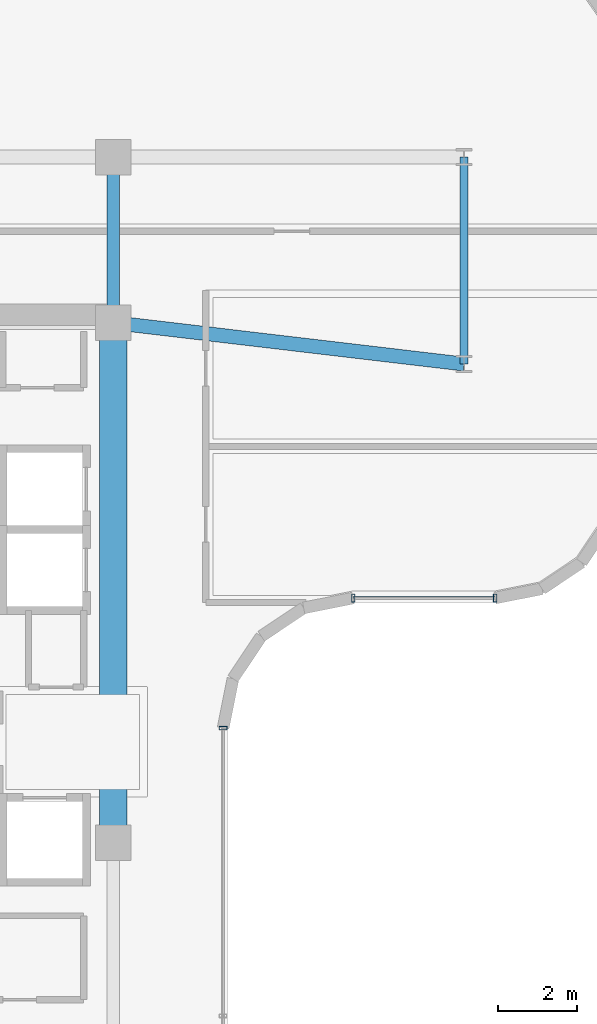
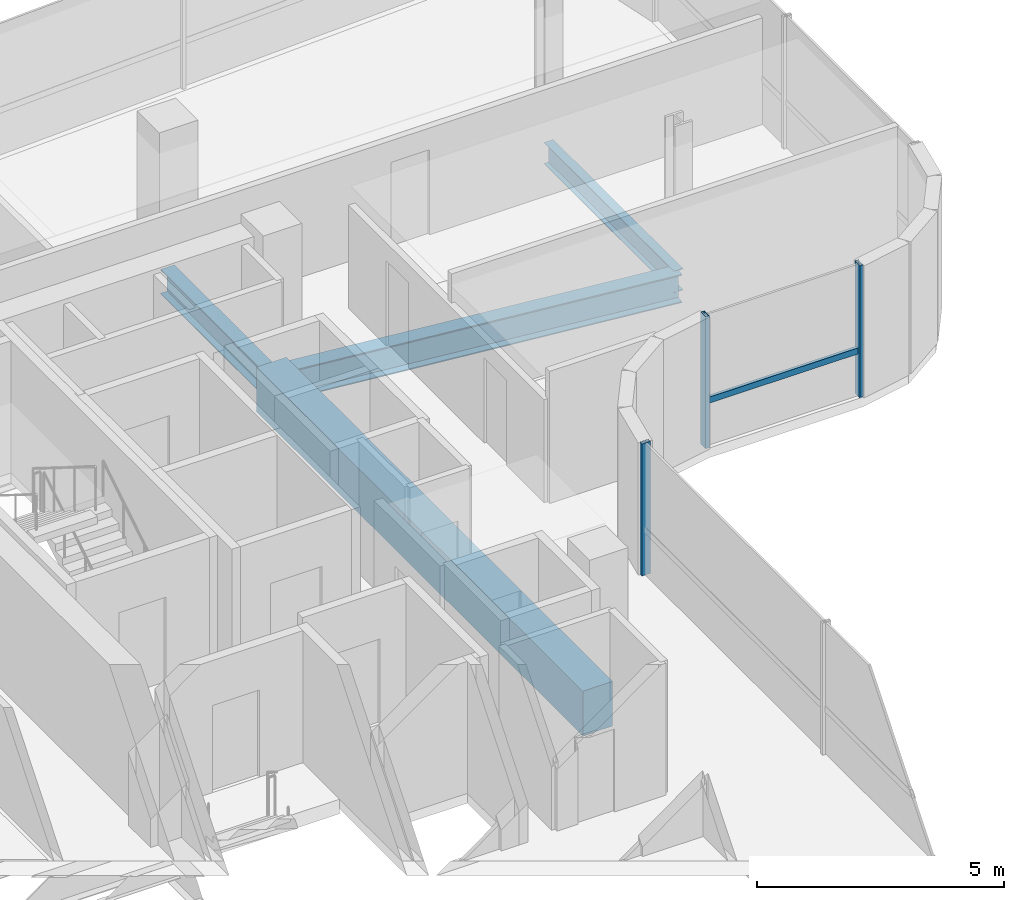
# One storey, part 11 of 22: 4 beams, 4 members, 2 elements without a shape of their own.
"""IFC4 building model written with IfcOpenShell, lengths in metres."""

from ifc_helpers import new_model, si_unit, direction, frame, origin, origin_2d, place, context, subcontext, project, spatial, rectangle, hollow_rectangle, i_section, extrude, source, transform, mapped, material, material_profile, profile_set, type_object, element, aggregate, save


model = new_model("IFC4")

# Units and contexts
model_context = context("Model", 3, precision=1e-05, world=origin(), true_north=direction((0.0, 1.0)))
body_context = subcontext(model_context, "Body", "Model", "MODEL_VIEW")
ifc_project = project(units=[si_unit("LENGTHUNIT", "METRE"), si_unit("AREAUNIT", "SQUARE_METRE"), si_unit("VOLUMEUNIT", "CUBIC_METRE"), si_unit("PLANEANGLEUNIT", "RADIAN"), si_unit("MASSUNIT", "GRAM", prefix="KILO")], contexts=[model_context])

# Site, building, storey
site_placement = place(None, origin())
site = spatial("IfcSite", under=ifc_project, at=site_placement, CompositionType="ELEMENT")
building_placement = place(site_placement, origin())
building = spatial("IfcBuilding", under=site, at=building_placement, Name="Valdorenza Pilgrim Sanctuary Tower", CompositionType="ELEMENT")
storey_placement = place(building_placement, frame((0.0, 0.0, 237.0)))
storey = spatial("IfcBuildingStorey", under=building, at=storey_placement, Name="L61", CompositionType="ELEMENT", Elevation=237.0)

# Beams
ifc_material_1 = material(Name="Concrete C50/60", Category="concrete")
ifc_material_profile_1 = material_profile(ifc_material_1, rectangle(XDim=0.699951171875, YDim=1.10009765625, at=origin_2d()), Name="RC 1100x700")
ifc_profile_set_1 = profile_set([ifc_material_profile_1], Name="Concrete C50/60")
beam_type_1 = type_object("IfcBeamType", Name="STR-BM-LNT-1100", PredefinedType="LINTEL", material=ifc_profile_set_1)
shared_shape_1 = source(origin(), body_context, "Body", "SweptSolid", [
    extrude(rectangle(XDim=0.699951171875, YDim=1.10009765625, at=origin_2d()), origin(), (0.0, 0.0, 1.0), 13.2001953125),
])
beam_1_placement = place(storey_placement, frame((-12.39990234375, -2.60009765625, -0.590087890625), z_axis=(0.0, 1.0, 0.0), x_axis=(-1.0, 0.0, 0.0)))
element("IfcBeam", 1, at=beam_1_placement, inside=storey, type_object=beam_type_1, Name="L61 Core A Coupling Lintel Girder", PredefinedType="LINTEL", context=body_context, shape_type="MappedRepresentation", body=[
    mapped(shared_shape_1, transform((0.0, 0.0, 0.0), x_axis=(1.0, 0.0, 0.0), y_axis=(0.0, 1.0, 0.0), z_axis=(0.0, 0.0, 1.0), scale=1.0)),
])
ifc_material_2 = material(Name="Steel ASTM A992 Grade 50", Category="steel")
ifc_material_profile_2 = material_profile(ifc_material_2, i_section(OverallWidth=0.323974609375, OverallDepth=0.611083984375, WebThickness=0.0126953125, FlangeThickness=0.01904296875, at=origin_2d()), Name="W24X104")
ifc_profile_set_2 = profile_set([ifc_material_profile_2], Name="Steel ASTM A992 Grade 50")
beam_type_2 = type_object("IfcBeamType", Name="STR-BM-GRD-W24B", PredefinedType="BEAM", material=ifc_profile_set_2)
shared_shape_2 = source(origin(), body_context, "Body", "SweptSolid", [
    extrude(i_section(OverallWidth=0.323974609375, OverallDepth=0.611083984375, WebThickness=0.0126953125, FlangeThickness=0.01904296875, at=origin_2d()), origin(), (0.0, 0.0, 1.0), 4.199951171875),
])
beam_2_placement = place(storey_placement, frame((-12.39990234375, 10.60009765625, -0.54541015625), z_axis=(0.0, 1.0, 0.0), x_axis=(-1.0, 0.0, 0.0)))
element("IfcBeam", 2, at=beam_2_placement, inside=storey, type_object=beam_type_2, Name="L61 Core Tie Girder CA-E-N1N2", PredefinedType="BEAM", context=body_context, shape_type="MappedRepresentation", body=[
    mapped(shared_shape_2, transform((0.0, 0.0, 0.0), x_axis=(1.0, 0.0, 0.0), y_axis=(0.0, 1.0, 0.0), z_axis=(0.0, 0.0, 1.0), scale=1.0)),
])
ifc_material_profile_3 = material_profile(ifc_material_2, i_section(OverallWidth=0.2109375, OverallDepth=0.5390625, WebThickness=0.01171875, FlangeThickness=0.018798828125, at=origin_2d()), Name="W21X73")
ifc_profile_set_3 = profile_set([ifc_material_profile_3], Name="Steel ASTM A992 Grade 50")
beam_type_3 = type_object("IfcBeamType", Name="STR-BM-SPN-W21B", PredefinedType="SPANDREL", material=ifc_profile_set_3)
shared_shape_3 = source(origin(), body_context, "Body", "SweptSolid", [
    extrude(i_section(OverallWidth=0.2109375, OverallDepth=0.5390625, WebThickness=0.01171875, FlangeThickness=0.018798828125, at=origin_2d()), origin(), (0.0, 0.0, 1.0), 5.25),
])
beam_3_placement = place(storey_placement, frame((-3.5, 9.550048828125, -0.509521484375), z_axis=(0.0, 1.0, 0.0), x_axis=(-1.0, 0.0, 0.0)))
element("IfcBeam", 3, at=beam_3_placement, inside=storey, type_object=beam_type_3, Name="L61 Floor Girder UWA-KTIE", PredefinedType="SPANDREL", context=body_context, shape_type="MappedRepresentation", body=[
    mapped(shared_shape_3, transform((0.0, 0.0, 0.0), x_axis=(1.0, 0.0, 0.0), y_axis=(0.0, 1.0, 0.0), z_axis=(0.0, 0.0, 1.0), scale=1.0)),
])
ifc_material_profile_4 = material_profile(ifc_material_2, i_section(OverallWidth=0.35595703125, OverallDepth=0.700927734375, WebThickness=0.016845703125, FlangeThickness=0.02734375, at=origin_2d()), Name="W27X161")
ifc_profile_set_4 = profile_set([ifc_material_profile_4], Name="Steel ASTM A992 Grade 50")
beam_type_4 = type_object("IfcBeamType", Name="STR-BM-GRD-W27", PredefinedType="BEAM", material=ifc_profile_set_4)
shared_shape_4 = source(origin(), body_context, "Body", "SweptSolid", [
    extrude(i_section(OverallWidth=0.35595703125, OverallDepth=0.700927734375, WebThickness=0.016845703125, FlangeThickness=0.02734375, at=origin_2d()), origin(), (0.0, 0.0, 1.0), 8.961669921875),
])
beam_4_placement = place(storey_placement, frame((-12.39990234375, 10.60009765625, -0.590576171875), z_axis=(0.993111684121, -0.117171595803, 0.0), x_axis=(0.117171595803, 0.993111684121, 0.0)))
element("IfcBeam", 4, at=beam_4_placement, inside=storey, type_object=beam_type_4, Name="L61 Floor Girder UWA-KG1", PredefinedType="BEAM", context=body_context, shape_type="MappedRepresentation", body=[
    mapped(shared_shape_4, transform((0.0, 0.0, 0.0), x_axis=(1.0, 0.0, 0.0), y_axis=(0.0, 1.0, 0.0), z_axis=(0.0, 0.0, 1.0), scale=1.0)),
])

# Curtain wall, members
ifc_material_3 = material(Name="Curtain-wall IGU glazing", Category="glass")
curtain_wall_type = type_object("IfcCurtainWallType", Name="CW-SYS-02", PredefinedType="NOTDEFINED", material=ifc_material_3)
curtain_wall_1_placement = place(storey_placement, origin())
curtain_wall_1 = element("IfcCurtainWall", 5, at=curtain_wall_1_placement, inside=storey, type_object=curtain_wall_type, Name="L61 Curtain Wall CW-L61-1-16", PredefinedType="NOTDEFINED")
ifc_material_4 = material(Name="Anodised aluminium AW-6060", Category="aluminium")
ifc_material_profile_5 = material_profile(ifc_material_4, hollow_rectangle(XDim=0.074951171875, YDim=0.14990234375, WallThickness=0.00390625, at=origin_2d()), Name="ALU-T 150x75x4")
ifc_profile_set_5 = profile_set([ifc_material_profile_5], Name="Anodised aluminium AW-6060")
member_type_1 = type_object("IfcMemberType", Name="CW-TRN-02", PredefinedType="USERDEFINED", material=ifc_profile_set_5)
shared_shape_5 = source(origin(), body_context, "Body", "SweptSolid", [
    extrude(hollow_rectangle(XDim=0.074951171875, YDim=0.14990234375, WallThickness=0.00390625, at=origin_2d()), origin(), (0.0, 0.0, 1.0), 3.60009765625),
])
member_1_placement = place(storey_placement, frame((-2.710693359375, 3.610107421875, 1.1201171875), z_axis=(-1.0, 0.0, 0.0), x_axis=(0.0, -1.0, 0.0)))
member_1 = element("IfcMember", 6, at=member_1_placement, type_object=member_type_1, Name="CW-L61-1-16 Transom 1", ObjectType="TRANSOM", PredefinedType="USERDEFINED", context=body_context, shape_type="MappedRepresentation", body=[
    mapped(shared_shape_5, transform((0.0, 0.0, 0.0), x_axis=(1.0, 0.0, 0.0), y_axis=(0.0, 1.0, 0.0), z_axis=(0.0, 0.0, 1.0), scale=1.0)),
])
ifc_material_profile_6 = material_profile(ifc_material_4, hollow_rectangle(XDim=0.0849609375, YDim=0.199951171875, WallThickness=0.0048828125, at=origin_2d()), Name="ALU-M 200x85x5")
ifc_profile_set_6 = profile_set([ifc_material_profile_6], Name="Anodised aluminium AW-6060")
member_type_2 = type_object("IfcMemberType", Name="CW-MUL-02", PredefinedType="MULLION", material=ifc_profile_set_6)
shared_shape_6 = source(origin(), body_context, "Body", "SweptSolid", [
    extrude(hollow_rectangle(XDim=0.0849609375, YDim=0.199951171875, WallThickness=0.0048828125, at=origin_2d()), origin(), (0.0, 0.0, 1.0), 3.260009765625),
])
member_2_placement = place(storey_placement, frame((-2.710693359375, 3.610107421875, 0.0), z_axis=(0.0, 0.0, 1.0), x_axis=(-1.0, 0.0, 0.0)))
member_2 = element("IfcMember", 7, at=member_2_placement, type_object=member_type_2, Name="CW-L61-1-16 Mullion 1", PredefinedType="MULLION", context=body_context, shape_type="MappedRepresentation", body=[
    mapped(shared_shape_6, transform((0.0, 0.0, 0.0), x_axis=(1.0, 0.0, 0.0), y_axis=(0.0, 1.0, 0.0), z_axis=(0.0, 0.0, 1.0), scale=1.0)),
])
member_3_placement = place(storey_placement, frame((-6.310791015625, 3.610107421875, 0.0), z_axis=(0.0, 0.0, 1.0), x_axis=(-1.0, 0.0, 0.0)))
member_3 = element("IfcMember", 8, at=member_3_placement, type_object=member_type_2, Name="CW-L61-1-16 Mullion 2", PredefinedType="MULLION", context=body_context, shape_type="MappedRepresentation", body=[
    mapped(shared_shape_6, transform((0.0, 0.0, 0.0), x_axis=(1.0, 0.0, 0.0), y_axis=(0.0, 1.0, 0.0), z_axis=(0.0, 0.0, 1.0), scale=1.0)),
])
aggregate(curtain_wall_1, [member_2, member_3, member_1])

# Curtain wall, member
curtain_wall_2_placement = place(storey_placement, origin())
curtain_wall_2 = element("IfcCurtainWall", 9, at=curtain_wall_2_placement, inside=storey, type_object=curtain_wall_type, Name="L61 Curtain Wall CW-L61-1-21", PredefinedType="NOTDEFINED")
member_4_placement = place(storey_placement, frame((-9.610107421875, 0.310791015625, 0.0), z_axis=(0.0, 0.0, 1.0), x_axis=(0.0, -1.0, 0.0)))
member_4 = element("IfcMember", 10, at=member_4_placement, type_object=member_type_2, Name="CW-L61-1-21 Mullion 1", PredefinedType="MULLION", context=body_context, shape_type="MappedRepresentation", body=[
    mapped(shared_shape_6, transform((0.0, 0.0, 0.0), x_axis=(1.0, 0.0, 0.0), y_axis=(0.0, 1.0, 0.0), z_axis=(0.0, 0.0, 1.0), scale=1.0)),
])
aggregate(curtain_wall_2, [member_4])

save(model, "model.ifc")
